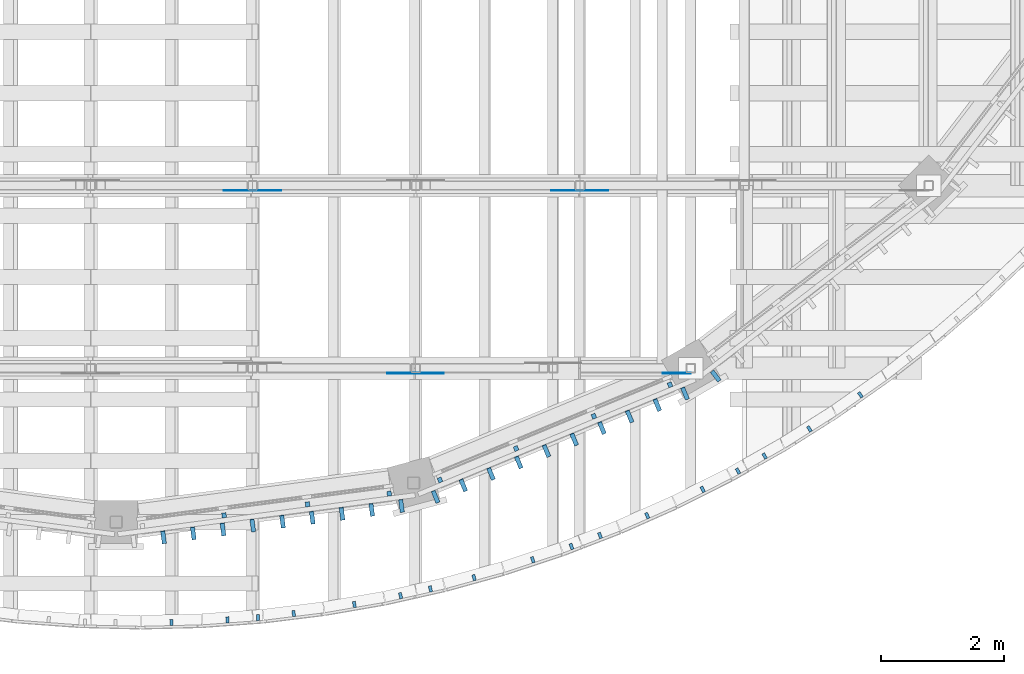
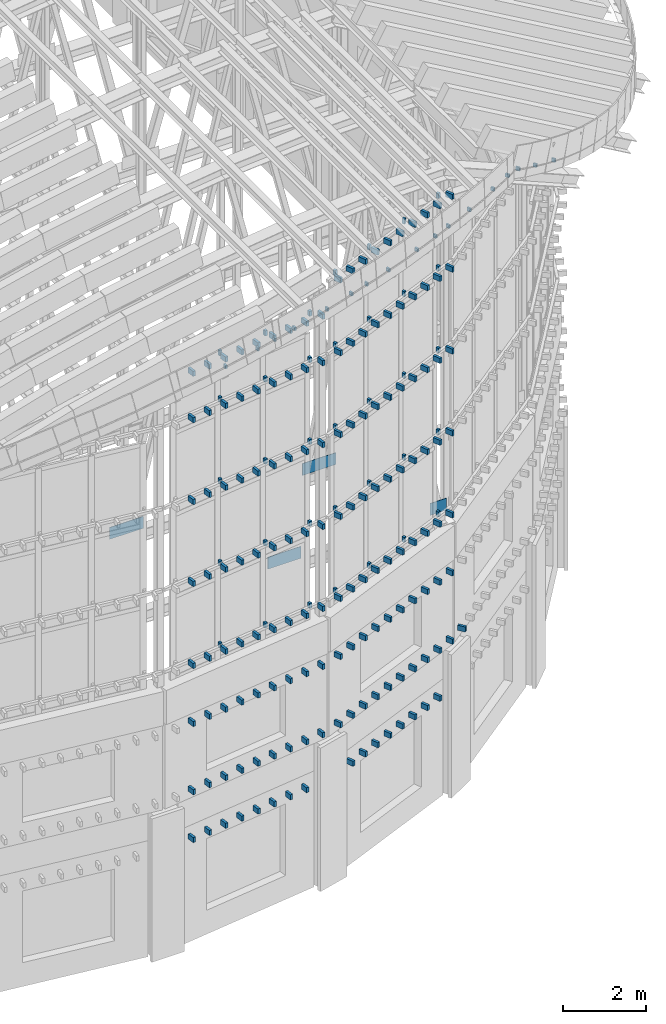
# One storey, part 70 of 105: 206 discrete accessories.
"""IFC4 building model written with IfcOpenShell, lengths in metres."""

import ifcopenshell
import ifcopenshell.guid

model = None  # the IFC model being written
_history = None  # IfcOwnerHistory: only IFC2X3 demands one
_inside = {}  # id of a spatial element -> (the spatial element, [elements in it])
_under = {}  # id of a project, library or spatial element -> (it, [spatial elements below it])
_declared = {}  # id of a project -> (the project, [libraries it declares])
_typed = {}  # id of a type object -> (the type object, [elements of that type])
_made_of = {}  # id of a material, layer set ... -> (it, [elements and type objects made of it])


def new_model(schema):
    """Start an empty IFC model of exactly this schema.

    Asked for "IFC4X3", IfcOpenShell would pick the latest addendum, in which some entities
    have other attributes; the version numbers below select the first issue.
    IFC2X3 requires an IfcOwnerHistory on every rooted entity: one is made here for all.
    """
    global model, _history
    if schema == "IFC4X3":
        model = ifcopenshell.file(schema_version=(4, 3, 0, 0))
    else:
        model = ifcopenshell.file(schema=schema)
    _inside.clear()
    _under.clear()
    _declared.clear()
    _typed.clear()
    _made_of.clear()
    _history = None
    if model.schema == "IFC2X3":
        org = make("IfcOrganization", Name="unknown")
        user = make(
            "IfcPersonAndOrganization",
            ThePerson=make("IfcPerson", FamilyName="unknown"),
            TheOrganization=org,
        )
        app = make(
            "IfcApplication",
            ApplicationDeveloper=org,
            Version="unknown",
            ApplicationFullName="unknown",
            ApplicationIdentifier="unknown",
        )
        _history = make(
            "IfcOwnerHistory",
            OwningUser=user,
            OwningApplication=app,
            ChangeAction="ADDED",
            CreationDate=0,
        )
    return model


def make(cls, **values):
    """One entity of the class cls with the attributes given. An attribute that is None is left unset."""
    return model.create_entity(
        cls, **{name: value for name, value in values.items() if value is not None}
    )


def rooted(cls, **values):
    """An entity with a GlobalId (a new one), such as an element, a storey or a relation."""
    return make(cls, GlobalId=ifcopenshell.guid.new(), OwnerHistory=_history, **values)


def si_unit(unit_type, name, prefix=None):
    """IfcSIUnit, for example si_unit("LENGTHUNIT", "METRE", prefix="MILLI")."""
    return make("IfcSIUnit", UnitType=unit_type, Prefix=prefix, Name=name)


def assignment(units):
    """IfcUnitAssignment: the units of a project."""
    return None if units is None else make("IfcUnitAssignment", Units=units)


def point(xyz):
    """IfcCartesianPoint."""
    return None if xyz is None else make("IfcCartesianPoint", Coordinates=xyz)


def direction(xyz):
    """IfcDirection."""
    return None if xyz is None else make("IfcDirection", DirectionRatios=xyz)


def frame(location, z_axis=None, x_axis=None):
    """IfcAxis2Placement3D, a coordinate frame: its origin and axes. An axis left out is left unset."""
    return make(
        "IfcAxis2Placement3D",
        Location=point(location),
        Axis=direction(z_axis),
        RefDirection=direction(x_axis),
    )


def frame_2d(location, x_axis=None):
    """IfcAxis2Placement2D, a coordinate frame in the plane: its origin and x axis."""
    return make(
        "IfcAxis2Placement2D", Location=point(location), RefDirection=direction(x_axis)
    )


def origin():
    """The frame at (0, 0, 0) with its axes left unset."""
    return frame((0.0, 0.0, 0.0))


def origin_2d():
    """The frame at (0, 0) in the plane with its x axis left unset."""
    return frame_2d((0.0, 0.0))


def place(relative_to, where):
    """IfcLocalPlacement: puts the frame where relative to a parent placement (None: the world)."""
    return make(
        "IfcLocalPlacement", PlacementRelTo=relative_to, RelativePlacement=where
    )


def context(
    kind, dimensions, precision=None, world=None, true_north=None, identifier=None
):
    """IfcGeometricRepresentationContext, for example the 3D "Model" context."""
    return make(
        "IfcGeometricRepresentationContext",
        ContextIdentifier=identifier,
        ContextType=kind,
        CoordinateSpaceDimension=dimensions,
        Precision=precision,
        WorldCoordinateSystem=world,
        TrueNorth=true_north,
    )


def subcontext(parent, identifier, kind, view, scale=None):
    """IfcGeometricRepresentationSubContext, for example "Body" below "Model"."""
    return make(
        "IfcGeometricRepresentationSubContext",
        ContextIdentifier=identifier,
        ContextType=kind,
        ParentContext=parent,
        TargetScale=scale,
        TargetView=view,
    )


def project(units=None, contexts=None):
    """IfcProject with its units and contexts."""
    return rooted(
        "IfcProject",
        Name="project",
        RepresentationContexts=contexts,
        UnitsInContext=assignment(units),
    )


def spatial(cls, under=None, at=None, **own):
    """A site, building, storey or space (cls), placed at a placement, below another one or the project."""
    s = rooted(cls, ObjectPlacement=at, **own)
    if under is not None:
        _under.setdefault(under.id(), (under, []))[1].append(s)
    return s


def polyline(points):
    """IfcPolyline through the points."""
    return make("IfcPolyline", Points=[point(p) for p in points])


def profile(cls, at=None, kind="AREA", **sizes):
    """A parametric profile (cls). Its sizes go by their IFC names, for example OverallWidth=200.0."""
    return make(cls, ProfileType=kind, Position=at, **sizes)


def rectangle(**sizes):
    """IfcRectangleProfileDef."""
    return profile("IfcRectangleProfileDef", **sizes)


def outline(outer, holes=None, kind="AREA"):
    """IfcArbitraryClosedProfileDef: a profile drawn as a closed curve; with holes, ...WithVoids."""
    if holes is None:
        return make("IfcArbitraryClosedProfileDef", ProfileType=kind, OuterCurve=outer)
    return make(
        "IfcArbitraryProfileDefWithVoids",
        ProfileType=kind,
        OuterCurve=outer,
        InnerCurves=holes,
    )


def extrude(swept, where, along, depth):
    """IfcExtrudedAreaSolid: the profile swept, set in the frame where, extruded along a direction by depth."""
    return make(
        "IfcExtrudedAreaSolid",
        SweptArea=swept,
        Position=where,
        ExtrudedDirection=direction(along),
        Depth=depth,
    )


def shape(context_of_items, identifier, shape_type, items):
    """IfcShapeRepresentation: the items that make up one representation, for example the "Body"."""
    return make(
        "IfcShapeRepresentation",
        ContextOfItems=context_of_items,
        RepresentationIdentifier=identifier,
        RepresentationType=shape_type,
        Items=items,
    )


def material(Name=None, Category=None):
    """IfcMaterial."""
    return make("IfcMaterial", Name=Name, Category=Category)


def made_of(thing, what):
    """Note that an element or type object is made of a material, layer set ...; save() writes the relation."""
    if what is not None:
        _made_of.setdefault(what.id(), (what, []))[1].append(thing)
    return thing


def type_object(cls, material=None, **own):
    """A type object (cls), such as IfcWallType, which elements share."""
    return made_of(rooted(cls, **own), material)


def element(
    cls,
    number,
    at=None,
    inside=None,
    cuts=None,
    type_object=None,
    material=None,
    context=None,
    identifier="Body",
    shape_type=None,
    held_by="IfcProductDefinitionShape",
    body=None,
    shapes=None,
    **own,
):
    """One element of the class cls, such as IfcWall. Its Tag is "e" and its number.

    at: its placement. inside: the storey or other place that contains it. cuts: it is an
    opening in that element (IfcRelVoidsElement). A single representation is given by context,
    identifier, shape_type and body (its items); several are given by shapes. held_by: the class
    of the entity that holds the representations. save() writes the other relations.
    """
    e = rooted(cls, Tag="e%d" % number, ObjectPlacement=at, **own)
    if body is not None:
        shapes = [shape(context, identifier, shape_type, body)]
    if shapes is not None:
        e.Representation = make(held_by, Representations=shapes)
    if inside is not None:
        _inside.setdefault(inside.id(), (inside, []))[1].append(e)
    if cuts is not None:
        rooted(
            "IfcRelVoidsElement", RelatingBuildingElement=cuts, RelatedOpeningElement=e
        )
    if type_object is not None:
        _typed.setdefault(type_object.id(), (type_object, []))[1].append(e)
    return made_of(e, material)


def aggregate(whole, parts):
    """IfcRelAggregates: a whole, such as a stair, and the parts it consists of."""
    return rooted("IfcRelAggregates", RelatingObject=whole, RelatedObjects=parts)


def save(model, path):
    """Write the relations noted so far, then the file.

    IfcRelAggregates (storeys below a building ...), IfcRelContainedInSpatialStructure (elements
    in a storey), IfcRelDefinesByType, IfcRelAssociatesMaterial and IfcRelDeclares: one each for
    every whole, place, type object, material and project.
    """
    for whole, parts in _under.values():
        aggregate(whole, parts)
    for where, things in _inside.values():
        rooted(
            "IfcRelContainedInSpatialStructure",
            RelatedElements=things,
            RelatingStructure=where,
        )
    for kind, things in _typed.values():
        rooted("IfcRelDefinesByType", RelatedObjects=things, RelatingType=kind)
    for what, things in _made_of.values():
        rooted("IfcRelAssociatesMaterial", RelatedObjects=things, RelatingMaterial=what)
    for by, libraries in _declared.values():
        rooted("IfcRelDeclares", RelatingContext=by, RelatedDefinitions=libraries)
    model.write(path)


model = new_model("IFC4")

# Units and contexts
model_context = context("Model", 3, precision=1e-05, world=origin(), true_north=direction((0.0, 1.0)))
body_context = subcontext(model_context, "Body", "Model", "MODEL_VIEW")
ifc_project = project(units=[si_unit("LENGTHUNIT", "METRE"), si_unit("AREAUNIT", "SQUARE_METRE"), si_unit("VOLUMEUNIT", "CUBIC_METRE"), si_unit("PLANEANGLEUNIT", "RADIAN"), si_unit("MASSUNIT", "GRAM", prefix="KILO")], contexts=[model_context])

# Site, building, storey
site_placement = place(None, origin())
site = spatial("IfcSite", under=ifc_project, at=site_placement, CompositionType="ELEMENT")
building_placement = place(site_placement, origin())
building = spatial("IfcBuilding", under=site, at=building_placement, Name="Wasatch Bagh Community Centre", CompositionType="ELEMENT")
storey_placement = place(building_placement, frame((0.0, 0.0, 16.800048828125)))
storey = spatial("IfcBuildingStorey", under=building, at=storey_placement, Name="L04", CompositionType="ELEMENT", Elevation=16.800048828125)

# Discrete accessories
ifc_material = material(Name="ASTM A36 steel", Category="steel")
discrete_accessory_type_1 = type_object("IfcDiscreteAccessoryType", Name="MH fascia bracket", PredefinedType="BRACKET", material=ifc_material)
for number, where, z_axis, x_axis, name in (
    (1, (48.14306640625, 18.326171875, 17.523193359375), (0.0, 0.0, 1.0), (0.575808191418, -0.817584813152, 0.0), "Fascia bracket 21"),
    (2, (47.310791015625, 17.770263671875, 18.002685546875), (0.0, 0.0, 1.0), (0.534997619887, -0.84485356525, 0.0), "Fascia bracket 22"),
    (3, (46.58056640625, 17.328369140625, 18.4228515625), (0.0, 0.0, 1.0), (0.49289819223, -0.870086991109, 0.0), "Fascia bracket 23"),
    (4, (46.14599609375, 17.082275390625, 18.526611328125), (0.0, 0.0, 1.0), (0.49289819223, -0.870086991109, 0.0), "Fascia bracket 24"),
    (5, (45.5693359375, 16.78369140625, 18.511962890625), (0.0, 0.0, 1.0), (0.449611329655, -0.893224301196, 0.0), "Fascia bracket 25"),
    (6, (44.66455078125, 16.355712890625, 18.488525390625), (0.0, 0.0, 1.0), (0.405241314005, -0.914209755704, 0.0), "Fascia bracket 26"),
    (7, (43.894775390625, 16.032470703125, 18.46875), (0.0, 0.0, 1.0), (0.359895036535, -0.932992798835, 0.0), "Fascia bracket 27"),
    (8, (43.4287109375, 15.852783203125, 18.449951171875), (0.0, 0.0, 1.0), (0.359895036535, -0.932992798835, 0.0), "Fascia bracket 28"),
    (9, (42.797119140625, 15.635498046875, 18.401123046875), (0.0, 0.0, 1.0), (0.313681740399, -0.949528180593, 0.0), "Fascia bracket 29"),
    (10, (41.83935546875, 15.344970703125, 18.326904296875), (0.0, 0.0, 1.0), (0.266712757475, -0.963776065795, 0.0), "Fascia bracket 30"),
    (11, (41.127685546875, 15.159912109375, 18.27197265625), (0.0, 0.0, 1.0), (0.219101240157, -0.975702130039, 0.0), "Fascia bracket 31"),
    (12, (40.640625, 15.050537109375, 18.222900390625), (0.0, 0.0, 1.0), (0.219101240157, -0.975702130039, 0.0), "Fascia bracket 32"),
    (13, (39.886474609375, 14.906494140625, 18.125244140625), (0.0, 0.0, 1.0), (0.17096188876, -0.985277642389, 0.0), "Fascia bracket 33"),
    (14, (38.896484375, 14.759521484375, 17.9970703125), (0.0, 0.0, 1.0), (0.122410675199, -0.992479534599, 0.0), "Fascia bracket 34"),
    (15, (38.314208984375, 14.69189453125, 17.921875), (0.0, 0.0, 1.0), (0.0735645636, -0.997290456679, 0.0), "Fascia bracket 35"),
    (16, (37.816162109375, 14.6552734375, 17.8388671875), (0.0, 0.0, 1.0), (0.0735645636, -0.997290456679, 0.0), "Fascia bracket 36"),
    (17, (36.900390625, 14.6123046875, 17.672119140625), (0.0, 0.0, 1.0), (0.024541228523, -0.999698818696, 0.0), "Fascia bracket 37"),
):
    element("IfcDiscreteAccessory", number, at=place(storey_placement, frame(where, z_axis=z_axis, x_axis=x_axis)), inside=storey, type_object=discrete_accessory_type_1, Name=name, PredefinedType="BRACKET", context=body_context, shape_type="SweptSolid", body=[
        extrude(rectangle(XDim=0.10009765625, YDim=0.050048828125, at=origin_2d()), origin(), (0.0, 0.0, 1.0), 0.10009765625),
    ])
discrete_accessory_type_2 = type_object("IfcDiscreteAccessoryType", Name="MH fin bracket", PredefinedType="BRACKET", material=ifc_material)
for number, where, z_axis, x_axis, name in (
    (18, (36.773681640625, 15.998779296875, 3.02490234375), (0.0, 0.0, 1.0), (0.991444861374, 0.13052619222, 0.0), "Fin bracket 7.2.4"),
    (19, (36.773681640625, 15.998779296875, 4.425048828125), (0.0, 0.0, 1.0), (0.991444861374, 0.13052619222, 0.0), "Fin bracket 7.2.5"),
    (20, (36.773681640625, 15.998779296875, 6.425048828125), (0.0, 0.0, 1.0), (0.991444861374, 0.13052619222, 0.0), "Fin bracket 7.2.6"),
    (21, (37.2587890625, 16.062744140625, 3.02490234375), (0.0, 0.0, 1.0), (0.991444861374, 0.13052619222, 0.0), "Fin bracket 7.3.4"),
    (22, (37.2587890625, 16.062744140625, 4.425048828125), (0.0, 0.0, 1.0), (0.991444861374, 0.13052619222, 0.0), "Fin bracket 7.3.5"),
    (23, (37.2587890625, 16.062744140625, 6.425048828125), (0.0, 0.0, 1.0), (0.991444861374, 0.13052619222, 0.0), "Fin bracket 7.3.6"),
    (24, (37.744140625, 16.126708984375, 3.02490234375), (0.0, 0.0, 1.0), (0.991444861374, 0.13052619222, 0.0), "Fin bracket 7.4.4"),
    (25, (37.744140625, 16.126708984375, 4.425048828125), (0.0, 0.0, 1.0), (0.991444861374, 0.13052619222, 0.0), "Fin bracket 7.4.5"),
    (26, (37.744140625, 16.126708984375, 6.425048828125), (0.0, 0.0, 1.0), (0.991444861374, 0.13052619222, 0.0), "Fin bracket 7.4.6"),
    (27, (38.2294921875, 16.1904296875, 3.02490234375), (0.0, 0.0, 1.0), (0.991444861374, 0.13052619222, 0.0), "Fin bracket 7.5.4"),
    (28, (38.2294921875, 16.1904296875, 4.425048828125), (0.0, 0.0, 1.0), (0.991444861374, 0.13052619222, 0.0), "Fin bracket 7.5.5"),
    (29, (38.2294921875, 16.1904296875, 6.425048828125), (0.0, 0.0, 1.0), (0.991444861374, 0.13052619222, 0.0), "Fin bracket 7.5.6"),
    (30, (38.71484375, 16.25439453125, 3.02490234375), (0.0, 0.0, 1.0), (0.991444861374, 0.13052619222, 0.0), "Fin bracket 7.6.4"),
    (31, (38.71484375, 16.25439453125, 4.425048828125), (0.0, 0.0, 1.0), (0.991444861374, 0.13052619222, 0.0), "Fin bracket 7.6.5"),
    (32, (38.71484375, 16.25439453125, 6.425048828125), (0.0, 0.0, 1.0), (0.991444861374, 0.13052619222, 0.0), "Fin bracket 7.6.6"),
    (33, (39.199951171875, 16.318359375, 3.02490234375), (0.0, 0.0, 1.0), (0.991444861374, 0.13052619222, 0.0), "Fin bracket 7.7.4"),
    (34, (39.199951171875, 16.318359375, 4.425048828125), (0.0, 0.0, 1.0), (0.991444861374, 0.13052619222, 0.0), "Fin bracket 7.7.5"),
    (35, (39.199951171875, 16.318359375, 6.425048828125), (0.0, 0.0, 1.0), (0.991444861374, 0.13052619222, 0.0), "Fin bracket 7.7.6"),
    (36, (39.685302734375, 16.382080078125, 3.02490234375), (0.0, 0.0, 1.0), (0.991444861374, 0.13052619222, 0.0), "Fin bracket 7.8.4"),
    (37, (39.685302734375, 16.382080078125, 4.425048828125), (0.0, 0.0, 1.0), (0.991444861374, 0.13052619222, 0.0), "Fin bracket 7.8.5"),
    (38, (39.685302734375, 16.382080078125, 6.425048828125), (0.0, 0.0, 1.0), (0.991444861374, 0.13052619222, 0.0), "Fin bracket 7.8.6"),
    (39, (40.170654296875, 16.446044921875, 3.02490234375), (0.0, 0.0, 1.0), (0.991444861374, 0.13052619222, 0.0), "Fin bracket 7.9.4"),
    (40, (40.170654296875, 16.446044921875, 4.425048828125), (0.0, 0.0, 1.0), (0.991444861374, 0.13052619222, 0.0), "Fin bracket 7.9.5"),
    (41, (40.170654296875, 16.446044921875, 6.425048828125), (0.0, 0.0, 1.0), (0.991444861374, 0.13052619222, 0.0), "Fin bracket 7.9.6"),
    (42, (40.656005859375, 16.510009765625, 4.425048828125), (0.0, 0.0, 1.0), (0.991444861374, 0.13052619222, 0.0), "Fin bracket 7.10.5"),
    (43, (40.656005859375, 16.510009765625, 6.425048828125), (0.0, 0.0, 1.0), (0.991444861374, 0.13052619222, 0.0), "Fin bracket 7.10.6"),
    (44, (41.212890625, 16.6591796875, 4.425048828125), (0.0, 0.0, 1.0), (0.923879532511, 0.382683432365, 0.0), "Fin bracket 8.1.5"),
    (45, (41.212890625, 16.6591796875, 6.425048828125), (0.0, 0.0, 1.0), (0.923879532511, 0.382683432365, 0.0), "Fin bracket 8.1.6"),
    (46, (41.6650390625, 16.846435546875, 3.02490234375), (0.0, 0.0, 1.0), (0.923879532511, 0.382683432365, 0.0), "Fin bracket 8.2.4"),
    (47, (41.6650390625, 16.846435546875, 4.425048828125), (0.0, 0.0, 1.0), (0.923879532511, 0.382683432365, 0.0), "Fin bracket 8.2.5"),
    (48, (41.6650390625, 16.846435546875, 6.425048828125), (0.0, 0.0, 1.0), (0.923879532511, 0.382683432365, 0.0), "Fin bracket 8.2.6"),
    (49, (42.117431640625, 17.033935546875, 3.02490234375), (0.0, 0.0, 1.0), (0.923879532511, 0.382683432365, 0.0), "Fin bracket 8.3.4"),
    (50, (42.117431640625, 17.033935546875, 4.425048828125), (0.0, 0.0, 1.0), (0.923879532511, 0.382683432365, 0.0), "Fin bracket 8.3.5"),
    (51, (42.117431640625, 17.033935546875, 6.425048828125), (0.0, 0.0, 1.0), (0.923879532511, 0.382683432365, 0.0), "Fin bracket 8.3.6"),
    (52, (42.569580078125, 17.22119140625, 3.02490234375), (0.0, 0.0, 1.0), (0.923879532511, 0.382683432365, 0.0), "Fin bracket 8.4.4"),
    (53, (42.569580078125, 17.22119140625, 4.425048828125), (0.0, 0.0, 1.0), (0.923879532511, 0.382683432365, 0.0), "Fin bracket 8.4.5"),
    (54, (42.569580078125, 17.22119140625, 6.425048828125), (0.0, 0.0, 1.0), (0.923879532511, 0.382683432365, 0.0), "Fin bracket 8.4.6"),
    (55, (43.021728515625, 17.408447265625, 3.02490234375), (0.0, 0.0, 1.0), (0.923879532511, 0.382683432365, 0.0), "Fin bracket 8.5.4"),
    (56, (43.021728515625, 17.408447265625, 4.425048828125), (0.0, 0.0, 1.0), (0.923879532511, 0.382683432365, 0.0), "Fin bracket 8.5.5"),
    (57, (43.021728515625, 17.408447265625, 6.425048828125), (0.0, 0.0, 1.0), (0.923879532511, 0.382683432365, 0.0), "Fin bracket 8.5.6"),
    (58, (43.473876953125, 17.595703125, 3.02490234375), (0.0, 0.0, 1.0), (0.923879532511, 0.382683432365, 0.0), "Fin bracket 8.6.4"),
    (59, (43.473876953125, 17.595703125, 4.425048828125), (0.0, 0.0, 1.0), (0.923879532511, 0.382683432365, 0.0), "Fin bracket 8.6.5"),
    (60, (43.473876953125, 17.595703125, 6.425048828125), (0.0, 0.0, 1.0), (0.923879532511, 0.382683432365, 0.0), "Fin bracket 8.6.6"),
    (61, (43.92626953125, 17.782958984375, 3.02490234375), (0.0, 0.0, 1.0), (0.923879532511, 0.382683432365, 0.0), "Fin bracket 8.7.4"),
    (62, (43.92626953125, 17.782958984375, 4.425048828125), (0.0, 0.0, 1.0), (0.923879532511, 0.382683432365, 0.0), "Fin bracket 8.7.5"),
    (63, (43.92626953125, 17.782958984375, 6.425048828125), (0.0, 0.0, 1.0), (0.923879532511, 0.382683432365, 0.0), "Fin bracket 8.7.6"),
    (64, (44.37841796875, 17.970458984375, 3.02490234375), (0.0, 0.0, 1.0), (0.923879532511, 0.382683432365, 0.0), "Fin bracket 8.8.4"),
    (65, (44.37841796875, 17.970458984375, 4.425048828125), (0.0, 0.0, 1.0), (0.923879532511, 0.382683432365, 0.0), "Fin bracket 8.8.5"),
    (66, (44.37841796875, 17.970458984375, 6.425048828125), (0.0, 0.0, 1.0), (0.923879532511, 0.382683432365, 0.0), "Fin bracket 8.8.6"),
    (67, (44.83056640625, 18.15771484375, 3.02490234375), (0.0, 0.0, 1.0), (0.923879532511, 0.382683432365, 0.0), "Fin bracket 8.9.4"),
    (68, (44.83056640625, 18.15771484375, 4.425048828125), (0.0, 0.0, 1.0), (0.923879532511, 0.382683432365, 0.0), "Fin bracket 8.9.5"),
    (69, (44.83056640625, 18.15771484375, 6.425048828125), (0.0, 0.0, 1.0), (0.923879532511, 0.382683432365, 0.0), "Fin bracket 8.9.6"),
    (70, (45.28271484375, 18.344970703125, 4.425048828125), (0.0, 0.0, 1.0), (0.923879532511, 0.382683432365, 0.0), "Fin bracket 8.10.5"),
    (71, (45.28271484375, 18.344970703125, 6.425048828125), (0.0, 0.0, 1.0), (0.923879532511, 0.382683432365, 0.0), "Fin bracket 8.10.6"),
    (72, (45.7822265625, 18.63330078125, 4.425048828125), (0.0, 0.0, 1.0), (0.793353340291, 0.608761429009, 0.0), "Fin bracket 9.1.5"),
):
    element("IfcDiscreteAccessory", number, at=place(storey_placement, frame(where, z_axis=z_axis, x_axis=x_axis)), inside=storey, type_object=discrete_accessory_type_2, Name=name, PredefinedType="BRACKET", context=body_context, shape_type="SweptSolid", body=[
        extrude(rectangle(XDim=0.070068359375, YDim=0.199951171875, at=origin_2d()), origin(), (0.0, 0.0, 1.0), 0.14990234375),
    ])
discrete_accessory_type_3 = type_object("IfcDiscreteAccessoryType", Name="MH fin bracket (rail)", PredefinedType="BRACKET", material=ifc_material)
for number, where, z_axis, x_axis, name in (
    (73, (36.77294921875, 16.00390625, 8.125), (0.0, 0.0, 1.0), (0.991444861374, 0.13052619222, 0.0), "Fin bracket 7.2.r1"),
    (74, (37.25830078125, 16.067626953125, 8.125), (0.0, 0.0, 1.0), (0.991444861374, 0.13052619222, 0.0), "Fin bracket 7.3.r1"),
    (75, (37.74365234375, 16.131591796875, 8.125), (0.0, 0.0, 1.0), (0.991444861374, 0.13052619222, 0.0), "Fin bracket 7.4.r1"),
    (76, (38.228759765625, 16.195556640625, 8.125), (0.0, 0.0, 1.0), (0.991444861374, 0.13052619222, 0.0), "Fin bracket 7.5.r1"),
    (77, (38.714111328125, 16.25927734375, 8.125), (0.0, 0.0, 1.0), (0.991444861374, 0.13052619222, 0.0), "Fin bracket 7.6.r1"),
    (78, (39.199462890625, 16.3232421875, 8.125), (0.0, 0.0, 1.0), (0.991444861374, 0.13052619222, 0.0), "Fin bracket 7.7.r1"),
    (79, (39.6845703125, 16.38720703125, 8.125), (0.0, 0.0, 1.0), (0.991444861374, 0.13052619222, 0.0), "Fin bracket 7.8.r1"),
    (80, (40.169921875, 16.450927734375, 8.125), (0.0, 0.0, 1.0), (0.991444861374, 0.13052619222, 0.0), "Fin bracket 7.9.r1"),
    (81, (40.6552734375, 16.514892578125, 8.125), (0.0, 0.0, 1.0), (0.991444861374, 0.13052619222, 0.0), "Fin bracket 7.10.r1"),
    (82, (36.77294921875, 16.00390625, 10.52490234375), (0.0, 0.0, 1.0), (0.991444861374, 0.13052619222, 0.0), "Fin bracket 7.2.r2"),
    (83, (37.25830078125, 16.067626953125, 10.52490234375), (0.0, 0.0, 1.0), (0.991444861374, 0.13052619222, 0.0), "Fin bracket 7.3.r2"),
    (84, (37.74365234375, 16.131591796875, 10.52490234375), (0.0, 0.0, 1.0), (0.991444861374, 0.13052619222, 0.0), "Fin bracket 7.4.r2"),
    (85, (38.228759765625, 16.195556640625, 10.52490234375), (0.0, 0.0, 1.0), (0.991444861374, 0.13052619222, 0.0), "Fin bracket 7.5.r2"),
    (86, (38.714111328125, 16.25927734375, 10.52490234375), (0.0, 0.0, 1.0), (0.991444861374, 0.13052619222, 0.0), "Fin bracket 7.6.r2"),
    (87, (39.199462890625, 16.3232421875, 10.52490234375), (0.0, 0.0, 1.0), (0.991444861374, 0.13052619222, 0.0), "Fin bracket 7.7.r2"),
    (88, (39.6845703125, 16.38720703125, 10.52490234375), (0.0, 0.0, 1.0), (0.991444861374, 0.13052619222, 0.0), "Fin bracket 7.8.r2"),
    (89, (40.169921875, 16.450927734375, 10.52490234375), (0.0, 0.0, 1.0), (0.991444861374, 0.13052619222, 0.0), "Fin bracket 7.9.r2"),
    (90, (40.6552734375, 16.514892578125, 10.52490234375), (0.0, 0.0, 1.0), (0.991444861374, 0.13052619222, 0.0), "Fin bracket 7.10.r2"),
    (91, (36.77294921875, 16.00390625, 12.925048828125), (0.0, 0.0, 1.0), (0.991444861374, 0.13052619222, 0.0), "Fin bracket 7.2.r3"),
    (92, (37.25830078125, 16.067626953125, 12.925048828125), (0.0, 0.0, 1.0), (0.991444861374, 0.13052619222, 0.0), "Fin bracket 7.3.r3"),
    (93, (37.74365234375, 16.131591796875, 12.925048828125), (0.0, 0.0, 1.0), (0.991444861374, 0.13052619222, 0.0), "Fin bracket 7.4.r3"),
    (94, (38.228759765625, 16.195556640625, 12.925048828125), (0.0, 0.0, 1.0), (0.991444861374, 0.13052619222, 0.0), "Fin bracket 7.5.r3"),
    (95, (38.714111328125, 16.25927734375, 12.925048828125), (0.0, 0.0, 1.0), (0.991444861374, 0.13052619222, 0.0), "Fin bracket 7.6.r3"),
    (96, (39.199462890625, 16.3232421875, 12.925048828125), (0.0, 0.0, 1.0), (0.991444861374, 0.13052619222, 0.0), "Fin bracket 7.7.r3"),
    (97, (39.6845703125, 16.38720703125, 12.925048828125), (0.0, 0.0, 1.0), (0.991444861374, 0.13052619222, 0.0), "Fin bracket 7.8.r3"),
    (98, (40.169921875, 16.450927734375, 12.925048828125), (0.0, 0.0, 1.0), (0.991444861374, 0.13052619222, 0.0), "Fin bracket 7.9.r3"),
    (99, (40.6552734375, 16.514892578125, 12.925048828125), (0.0, 0.0, 1.0), (0.991444861374, 0.13052619222, 0.0), "Fin bracket 7.10.r3"),
    (100, (36.77294921875, 16.00390625, 15.324951171875), (0.0, 0.0, 1.0), (0.991444861374, 0.13052619222, 0.0), "Fin bracket 7.2.r4"),
    (101, (37.25830078125, 16.067626953125, 15.324951171875), (0.0, 0.0, 1.0), (0.991444861374, 0.13052619222, 0.0), "Fin bracket 7.3.r4"),
    (102, (37.74365234375, 16.131591796875, 15.324951171875), (0.0, 0.0, 1.0), (0.991444861374, 0.13052619222, 0.0), "Fin bracket 7.4.r4"),
    (103, (38.228759765625, 16.195556640625, 15.324951171875), (0.0, 0.0, 1.0), (0.991444861374, 0.13052619222, 0.0), "Fin bracket 7.5.r4"),
    (104, (38.714111328125, 16.25927734375, 15.324951171875), (0.0, 0.0, 1.0), (0.991444861374, 0.13052619222, 0.0), "Fin bracket 7.6.r4"),
    (105, (39.199462890625, 16.3232421875, 15.324951171875), (0.0, 0.0, 1.0), (0.991444861374, 0.13052619222, 0.0), "Fin bracket 7.7.r4"),
    (106, (39.6845703125, 16.38720703125, 15.324951171875), (0.0, 0.0, 1.0), (0.991444861374, 0.13052619222, 0.0), "Fin bracket 7.8.r4"),
    (107, (40.169921875, 16.450927734375, 15.324951171875), (0.0, 0.0, 1.0), (0.991444861374, 0.13052619222, 0.0), "Fin bracket 7.9.r4"),
    (108, (40.6552734375, 16.514892578125, 15.324951171875), (0.0, 0.0, 1.0), (0.991444861374, 0.13052619222, 0.0), "Fin bracket 7.10.r4"),
    (109, (36.77294921875, 16.00390625, 16.68505859375), (0.0, 0.0, 1.0), (0.991444861374, 0.13052619222, 0.0), "Fin bracket 7.2.r5"),
    (110, (37.25830078125, 16.067626953125, 16.68505859375), (0.0, 0.0, 1.0), (0.991444861374, 0.13052619222, 0.0), "Fin bracket 7.3.r5"),
    (111, (37.74365234375, 16.131591796875, 16.68505859375), (0.0, 0.0, 1.0), (0.991444861374, 0.13052619222, 0.0), "Fin bracket 7.4.r5"),
    (112, (38.228759765625, 16.195556640625, 16.68505859375), (0.0, 0.0, 1.0), (0.991444861374, 0.13052619222, 0.0), "Fin bracket 7.5.r5"),
    (113, (38.714111328125, 16.25927734375, 16.68505859375), (0.0, 0.0, 1.0), (0.991444861374, 0.13052619222, 0.0), "Fin bracket 7.6.r5"),
    (114, (39.199462890625, 16.3232421875, 16.68505859375), (0.0, 0.0, 1.0), (0.991444861374, 0.13052619222, 0.0), "Fin bracket 7.7.r5"),
    (115, (39.6845703125, 16.38720703125, 16.68505859375), (0.0, 0.0, 1.0), (0.991444861374, 0.13052619222, 0.0), "Fin bracket 7.8.r5"),
    (116, (40.169921875, 16.450927734375, 16.68505859375), (0.0, 0.0, 1.0), (0.991444861374, 0.13052619222, 0.0), "Fin bracket 7.9.r5"),
    (117, (40.6552734375, 16.514892578125, 16.68505859375), (0.0, 0.0, 1.0), (0.991444861374, 0.13052619222, 0.0), "Fin bracket 7.10.r5"),
    (118, (41.2109375, 16.663818359375, 8.125), (0.0, 0.0, 1.0), (0.923879532511, 0.382683432365, 0.0), "Fin bracket 8.1.r1"),
    (119, (41.6630859375, 16.85107421875, 8.125), (0.0, 0.0, 1.0), (0.923879532511, 0.382683432365, 0.0), "Fin bracket 8.2.r1"),
    (120, (42.115478515625, 17.038330078125, 8.125), (0.0, 0.0, 1.0), (0.923879532511, 0.382683432365, 0.0), "Fin bracket 8.3.r1"),
    (121, (42.567626953125, 17.225830078125, 8.125), (0.0, 0.0, 1.0), (0.923879532511, 0.382683432365, 0.0), "Fin bracket 8.4.r1"),
    (122, (43.019775390625, 17.4130859375, 8.125), (0.0, 0.0, 1.0), (0.923879532511, 0.382683432365, 0.0), "Fin bracket 8.5.r1"),
    (123, (43.47216796875, 17.600341796875, 8.125), (0.0, 0.0, 1.0), (0.923879532511, 0.382683432365, 0.0), "Fin bracket 8.6.r1"),
    (124, (43.92431640625, 17.78759765625, 8.125), (0.0, 0.0, 1.0), (0.923879532511, 0.382683432365, 0.0), "Fin bracket 8.7.r1"),
    (125, (44.37646484375, 17.97509765625, 8.125), (0.0, 0.0, 1.0), (0.923879532511, 0.382683432365, 0.0), "Fin bracket 8.8.r1"),
    (126, (44.82861328125, 18.162353515625, 8.125), (0.0, 0.0, 1.0), (0.923879532511, 0.382683432365, 0.0), "Fin bracket 8.9.r1"),
    (127, (45.281005859375, 18.349609375, 8.125), (0.0, 0.0, 1.0), (0.923879532511, 0.382683432365, 0.0), "Fin bracket 8.10.r1"),
    (128, (41.2109375, 16.663818359375, 10.52490234375), (0.0, 0.0, 1.0), (0.923879532511, 0.382683432365, 0.0), "Fin bracket 8.1.r2"),
    (129, (41.6630859375, 16.85107421875, 10.52490234375), (0.0, 0.0, 1.0), (0.923879532511, 0.382683432365, 0.0), "Fin bracket 8.2.r2"),
    (130, (42.115478515625, 17.038330078125, 10.52490234375), (0.0, 0.0, 1.0), (0.923879532511, 0.382683432365, 0.0), "Fin bracket 8.3.r2"),
    (131, (42.567626953125, 17.225830078125, 10.52490234375), (0.0, 0.0, 1.0), (0.923879532511, 0.382683432365, 0.0), "Fin bracket 8.4.r2"),
    (132, (43.019775390625, 17.4130859375, 10.52490234375), (0.0, 0.0, 1.0), (0.923879532511, 0.382683432365, 0.0), "Fin bracket 8.5.r2"),
    (133, (43.47216796875, 17.600341796875, 10.52490234375), (0.0, 0.0, 1.0), (0.923879532511, 0.382683432365, 0.0), "Fin bracket 8.6.r2"),
    (134, (43.92431640625, 17.78759765625, 10.52490234375), (0.0, 0.0, 1.0), (0.923879532511, 0.382683432365, 0.0), "Fin bracket 8.7.r2"),
    (135, (44.37646484375, 17.97509765625, 10.52490234375), (0.0, 0.0, 1.0), (0.923879532511, 0.382683432365, 0.0), "Fin bracket 8.8.r2"),
    (136, (44.82861328125, 18.162353515625, 10.52490234375), (0.0, 0.0, 1.0), (0.923879532511, 0.382683432365, 0.0), "Fin bracket 8.9.r2"),
    (137, (45.281005859375, 18.349609375, 10.52490234375), (0.0, 0.0, 1.0), (0.923879532511, 0.382683432365, 0.0), "Fin bracket 8.10.r2"),
    (138, (41.2109375, 16.663818359375, 12.925048828125), (0.0, 0.0, 1.0), (0.923879532511, 0.382683432365, 0.0), "Fin bracket 8.1.r3"),
    (139, (41.6630859375, 16.85107421875, 12.925048828125), (0.0, 0.0, 1.0), (0.923879532511, 0.382683432365, 0.0), "Fin bracket 8.2.r3"),
    (140, (42.115478515625, 17.038330078125, 12.925048828125), (0.0, 0.0, 1.0), (0.923879532511, 0.382683432365, 0.0), "Fin bracket 8.3.r3"),
    (141, (42.567626953125, 17.225830078125, 12.925048828125), (0.0, 0.0, 1.0), (0.923879532511, 0.382683432365, 0.0), "Fin bracket 8.4.r3"),
    (142, (43.019775390625, 17.4130859375, 12.925048828125), (0.0, 0.0, 1.0), (0.923879532511, 0.382683432365, 0.0), "Fin bracket 8.5.r3"),
    (143, (43.47216796875, 17.600341796875, 12.925048828125), (0.0, 0.0, 1.0), (0.923879532511, 0.382683432365, 0.0), "Fin bracket 8.6.r3"),
    (144, (43.92431640625, 17.78759765625, 12.925048828125), (0.0, 0.0, 1.0), (0.923879532511, 0.382683432365, 0.0), "Fin bracket 8.7.r3"),
    (145, (44.37646484375, 17.97509765625, 12.925048828125), (0.0, 0.0, 1.0), (0.923879532511, 0.382683432365, 0.0), "Fin bracket 8.8.r3"),
    (146, (44.82861328125, 18.162353515625, 12.925048828125), (0.0, 0.0, 1.0), (0.923879532511, 0.382683432365, 0.0), "Fin bracket 8.9.r3"),
    (147, (45.281005859375, 18.349609375, 12.925048828125), (0.0, 0.0, 1.0), (0.923879532511, 0.382683432365, 0.0), "Fin bracket 8.10.r3"),
    (148, (41.2109375, 16.663818359375, 15.324951171875), (0.0, 0.0, 1.0), (0.923879532511, 0.382683432365, 0.0), "Fin bracket 8.1.r4"),
    (149, (41.6630859375, 16.85107421875, 15.324951171875), (0.0, 0.0, 1.0), (0.923879532511, 0.382683432365, 0.0), "Fin bracket 8.2.r4"),
    (150, (42.115478515625, 17.038330078125, 15.324951171875), (0.0, 0.0, 1.0), (0.923879532511, 0.382683432365, 0.0), "Fin bracket 8.3.r4"),
    (151, (42.567626953125, 17.225830078125, 15.324951171875), (0.0, 0.0, 1.0), (0.923879532511, 0.382683432365, 0.0), "Fin bracket 8.4.r4"),
    (152, (43.019775390625, 17.4130859375, 15.324951171875), (0.0, 0.0, 1.0), (0.923879532511, 0.382683432365, 0.0), "Fin bracket 8.5.r4"),
    (153, (43.47216796875, 17.600341796875, 15.324951171875), (0.0, 0.0, 1.0), (0.923879532511, 0.382683432365, 0.0), "Fin bracket 8.6.r4"),
    (154, (43.92431640625, 17.78759765625, 15.324951171875), (0.0, 0.0, 1.0), (0.923879532511, 0.382683432365, 0.0), "Fin bracket 8.7.r4"),
    (155, (44.37646484375, 17.97509765625, 15.324951171875), (0.0, 0.0, 1.0), (0.923879532511, 0.382683432365, 0.0), "Fin bracket 8.8.r4"),
    (156, (44.82861328125, 18.162353515625, 15.324951171875), (0.0, 0.0, 1.0), (0.923879532511, 0.382683432365, 0.0), "Fin bracket 8.9.r4"),
    (157, (45.281005859375, 18.349609375, 15.324951171875), (0.0, 0.0, 1.0), (0.923879532511, 0.382683432365, 0.0), "Fin bracket 8.10.r4"),
    (158, (41.2109375, 16.663818359375, 17.455078125), (0.0, 0.0, 1.0), (0.923879532511, 0.382683432365, 0.0), "Fin bracket 8.1.r5"),
    (159, (41.6630859375, 16.85107421875, 17.455078125), (0.0, 0.0, 1.0), (0.923879532511, 0.382683432365, 0.0), "Fin bracket 8.2.r5"),
    (160, (42.115478515625, 17.038330078125, 17.455078125), (0.0, 0.0, 1.0), (0.923879532511, 0.382683432365, 0.0), "Fin bracket 8.3.r5"),
    (161, (42.567626953125, 17.225830078125, 17.455078125), (0.0, 0.0, 1.0), (0.923879532511, 0.382683432365, 0.0), "Fin bracket 8.4.r5"),
    (162, (43.019775390625, 17.4130859375, 17.455078125), (0.0, 0.0, 1.0), (0.923879532511, 0.382683432365, 0.0), "Fin bracket 8.5.r5"),
    (163, (43.47216796875, 17.600341796875, 17.455078125), (0.0, 0.0, 1.0), (0.923879532511, 0.382683432365, 0.0), "Fin bracket 8.6.r5"),
    (164, (43.92431640625, 17.78759765625, 17.455078125), (0.0, 0.0, 1.0), (0.923879532511, 0.382683432365, 0.0), "Fin bracket 8.7.r5"),
    (165, (44.37646484375, 17.97509765625, 17.455078125), (0.0, 0.0, 1.0), (0.923879532511, 0.382683432365, 0.0), "Fin bracket 8.8.r5"),
    (166, (44.82861328125, 18.162353515625, 17.455078125), (0.0, 0.0, 1.0), (0.923879532511, 0.382683432365, 0.0), "Fin bracket 8.9.r5"),
    (167, (45.281005859375, 18.349609375, 17.455078125), (0.0, 0.0, 1.0), (0.923879532511, 0.382683432365, 0.0), "Fin bracket 8.10.r5"),
):
    element("IfcDiscreteAccessory", number, at=place(storey_placement, frame(where, z_axis=z_axis, x_axis=x_axis)), inside=storey, type_object=discrete_accessory_type_3, Name=name, PredefinedType="BRACKET", context=body_context, shape_type="SweptSolid", body=[
        extrude(rectangle(XDim=0.070068359375, YDim=0.2099609375, at=origin_2d()), origin(), (0.0, 0.0, 1.0), 0.14990234375),
    ])
discrete_accessory_type_4 = type_object("IfcDiscreteAccessoryType", Name="MH fin rail stand-off", PredefinedType="BRACKET", material=ifc_material)
for number, where, z_axis, x_axis, name in (
    (168, (37.760986328125, 16.36083984375, 8.125), (0.0, 0.0, 1.0), (0.991444861374, 0.13052619222, 0.0), "Rail stand-off 7.1.2"),
    (169, (39.123291015625, 16.5400390625, 8.125), (0.0, 0.0, 1.0), (0.991444861374, 0.13052619222, 0.0), "Rail stand-off 7.1.3"),
    (170, (40.45556640625, 16.715576171875, 8.125), (0.0, 0.0, 1.0), (0.991444861374, 0.13052619222, 0.0), "Rail stand-off 7.1.4"),
    (171, (37.760986328125, 16.36083984375, 10.52490234375), (0.0, 0.0, 1.0), (0.991444861374, 0.13052619222, 0.0), "Rail stand-off 7.2.2"),
    (172, (39.123291015625, 16.5400390625, 10.52490234375), (0.0, 0.0, 1.0), (0.991444861374, 0.13052619222, 0.0), "Rail stand-off 7.2.3"),
    (173, (40.45556640625, 16.715576171875, 10.52490234375), (0.0, 0.0, 1.0), (0.991444861374, 0.13052619222, 0.0), "Rail stand-off 7.2.4"),
    (174, (37.760986328125, 16.36083984375, 12.925048828125), (0.0, 0.0, 1.0), (0.991444861374, 0.13052619222, 0.0), "Rail stand-off 7.3.2"),
    (175, (39.123291015625, 16.5400390625, 12.925048828125), (0.0, 0.0, 1.0), (0.991444861374, 0.13052619222, 0.0), "Rail stand-off 7.3.3"),
    (176, (40.45556640625, 16.715576171875, 12.925048828125), (0.0, 0.0, 1.0), (0.991444861374, 0.13052619222, 0.0), "Rail stand-off 7.3.4"),
    (177, (37.760986328125, 16.36083984375, 15.324951171875), (0.0, 0.0, 1.0), (0.991444861374, 0.13052619222, 0.0), "Rail stand-off 7.4.2"),
    (178, (39.123291015625, 16.5400390625, 15.324951171875), (0.0, 0.0, 1.0), (0.991444861374, 0.13052619222, 0.0), "Rail stand-off 7.4.3"),
    (179, (40.45556640625, 16.715576171875, 15.324951171875), (0.0, 0.0, 1.0), (0.991444861374, 0.13052619222, 0.0), "Rail stand-off 7.4.4"),
    (180, (37.760986328125, 16.36083984375, 16.68505859375), (0.0, 0.0, 1.0), (0.991444861374, 0.13052619222, 0.0), "Rail stand-off 7.5.2"),
    (181, (39.123291015625, 16.5400390625, 16.68505859375), (0.0, 0.0, 1.0), (0.991444861374, 0.13052619222, 0.0), "Rail stand-off 7.5.3"),
    (182, (40.45556640625, 16.715576171875, 16.68505859375), (0.0, 0.0, 1.0), (0.991444861374, 0.13052619222, 0.0), "Rail stand-off 7.5.4"),
    (183, (41.283447265625, 16.9375, 8.125), (0.0, 0.0, 1.0), (0.923879532511, 0.382683432365, 0.0), "Rail stand-off 8.1.1"),
    (184, (42.525146484375, 17.45166015625, 8.125), (0.0, 0.0, 1.0), (0.923879532511, 0.382683432365, 0.0), "Rail stand-off 8.1.2"),
    (185, (43.79443359375, 17.9775390625, 8.125), (0.0, 0.0, 1.0), (0.923879532511, 0.382683432365, 0.0), "Rail stand-off 8.1.3"),
    (186, (45.0361328125, 18.49169921875, 8.125), (0.0, 0.0, 1.0), (0.923879532511, 0.382683432365, 0.0), "Rail stand-off 8.1.4"),
    (187, (41.283447265625, 16.9375, 10.52490234375), (0.0, 0.0, 1.0), (0.923879532511, 0.382683432365, 0.0), "Rail stand-off 8.2.1"),
    (188, (42.525146484375, 17.45166015625, 10.52490234375), (0.0, 0.0, 1.0), (0.923879532511, 0.382683432365, 0.0), "Rail stand-off 8.2.2"),
    (189, (43.79443359375, 17.9775390625, 10.52490234375), (0.0, 0.0, 1.0), (0.923879532511, 0.382683432365, 0.0), "Rail stand-off 8.2.3"),
    (190, (45.0361328125, 18.49169921875, 10.52490234375), (0.0, 0.0, 1.0), (0.923879532511, 0.382683432365, 0.0), "Rail stand-off 8.2.4"),
    (191, (41.283447265625, 16.9375, 12.925048828125), (0.0, 0.0, 1.0), (0.923879532511, 0.382683432365, 0.0), "Rail stand-off 8.3.1"),
    (192, (42.525146484375, 17.45166015625, 12.925048828125), (0.0, 0.0, 1.0), (0.923879532511, 0.382683432365, 0.0), "Rail stand-off 8.3.2"),
    (193, (43.79443359375, 17.9775390625, 12.925048828125), (0.0, 0.0, 1.0), (0.923879532511, 0.382683432365, 0.0), "Rail stand-off 8.3.3"),
    (194, (45.0361328125, 18.49169921875, 12.925048828125), (0.0, 0.0, 1.0), (0.923879532511, 0.382683432365, 0.0), "Rail stand-off 8.3.4"),
    (195, (41.283447265625, 16.9375, 15.324951171875), (0.0, 0.0, 1.0), (0.923879532511, 0.382683432365, 0.0), "Rail stand-off 8.4.1"),
    (196, (42.525146484375, 17.45166015625, 15.324951171875), (0.0, 0.0, 1.0), (0.923879532511, 0.382683432365, 0.0), "Rail stand-off 8.4.2"),
    (197, (43.79443359375, 17.9775390625, 15.324951171875), (0.0, 0.0, 1.0), (0.923879532511, 0.382683432365, 0.0), "Rail stand-off 8.4.3"),
    (198, (45.0361328125, 18.49169921875, 15.324951171875), (0.0, 0.0, 1.0), (0.923879532511, 0.382683432365, 0.0), "Rail stand-off 8.4.4"),
    (199, (41.283447265625, 16.9375, 17.455078125), (0.0, 0.0, 1.0), (0.923879532511, 0.382683432365, 0.0), "Rail stand-off 8.5.1"),
    (200, (42.525146484375, 17.45166015625, 17.455078125), (0.0, 0.0, 1.0), (0.923879532511, 0.382683432365, 0.0), "Rail stand-off 8.5.2"),
    (201, (43.79443359375, 17.9775390625, 17.455078125), (0.0, 0.0, 1.0), (0.923879532511, 0.382683432365, 0.0), "Rail stand-off 8.5.3"),
    (202, (45.0361328125, 18.49169921875, 17.455078125), (0.0, 0.0, 1.0), (0.923879532511, 0.382683432365, 0.0), "Rail stand-off 8.5.4"),
):
    element("IfcDiscreteAccessory", number, at=place(storey_placement, frame(where, z_axis=z_axis, x_axis=x_axis)), inside=storey, type_object=discrete_accessory_type_4, Name=name, PredefinedType="BRACKET", context=body_context, shape_type="SweptSolid", body=[
        extrude(rectangle(XDim=0.070068359375, YDim=0.080078125, at=origin_2d()), origin(), (0.0, 0.0, 1.0), 0.14990234375),
    ])
discrete_accessory_1_placement = place(storey_placement, frame((37.75732421875, 21.653076171875, 8.071044921875), z_axis=(0.0, -1.0, 0.0), x_axis=(1.0, 0.0, 0.0)))
element("IfcDiscreteAccessory", 203, at=discrete_accessory_1_placement, inside=storey, Name="Gusset plate", PredefinedType="BRACKET", context=body_context, shape_type="SweptSolid", body=[
    extrude(outline(polyline([(0.0, 0.0), (0.933837890625, 0.0), (0.933837890625, 0.35009765625), (0.0, 0.35009765625), (0.0, 0.0)])), origin(), (0.0, 0.0, -1.0), 0.011962890625),
])
discrete_accessory_2_placement = place(storey_placement, frame((43.10107421875, 21.653076171875, 8.071044921875), z_axis=(0.0, -1.0, 0.0), x_axis=(1.0, 0.0, 0.0)))
element("IfcDiscreteAccessory", 204, at=discrete_accessory_2_placement, inside=storey, Name="Gusset plate", PredefinedType="BRACKET", context=body_context, shape_type="SweptSolid", body=[
    extrude(outline(polyline([(0.0, 0.0), (0.928466796875, 0.0), (0.928466796875, 0.35009765625), (0.0, 0.35009765625), (0.0, 0.0)])), origin(), (0.0, 0.0, -1.0), 0.011962890625),
])
discrete_accessory_3_placement = place(storey_placement, frame((40.42236328125, 18.67333984375, 8.071044921875), z_axis=(0.0, -1.0, 0.0), x_axis=(1.0, 0.0, 0.0)))
element("IfcDiscreteAccessory", 205, at=discrete_accessory_3_placement, inside=storey, Name="Gusset plate", PredefinedType="BRACKET", context=body_context, shape_type="SweptSolid", body=[
    extrude(outline(polyline([(0.0, 0.0), (0.921142578125, 0.0), (0.921142578125, 0.35009765625), (0.0, 0.35009765625), (0.0, 0.0)])), origin(), (0.0, 0.0, -1.0), 0.011962890625),
])
discrete_accessory_4_placement = place(storey_placement, frame((44.92041015625, 18.67333984375, 8.071044921875), z_axis=(0.0, -1.0, 0.0), x_axis=(1.0, 0.0, 0.0)))
element("IfcDiscreteAccessory", 206, at=discrete_accessory_4_placement, inside=storey, Name="Gusset plate", PredefinedType="BRACKET", context=body_context, shape_type="SweptSolid", body=[
    extrude(outline(polyline([(0.0, 0.0), (0.45458984375, 0.0), (0.45458984375, 0.35009765625), (0.0, 0.35009765625), (0.0, 0.0)])), origin(), (0.0, 0.0, -1.0), 0.011962890625),
])

save(model, "model.ifc")
